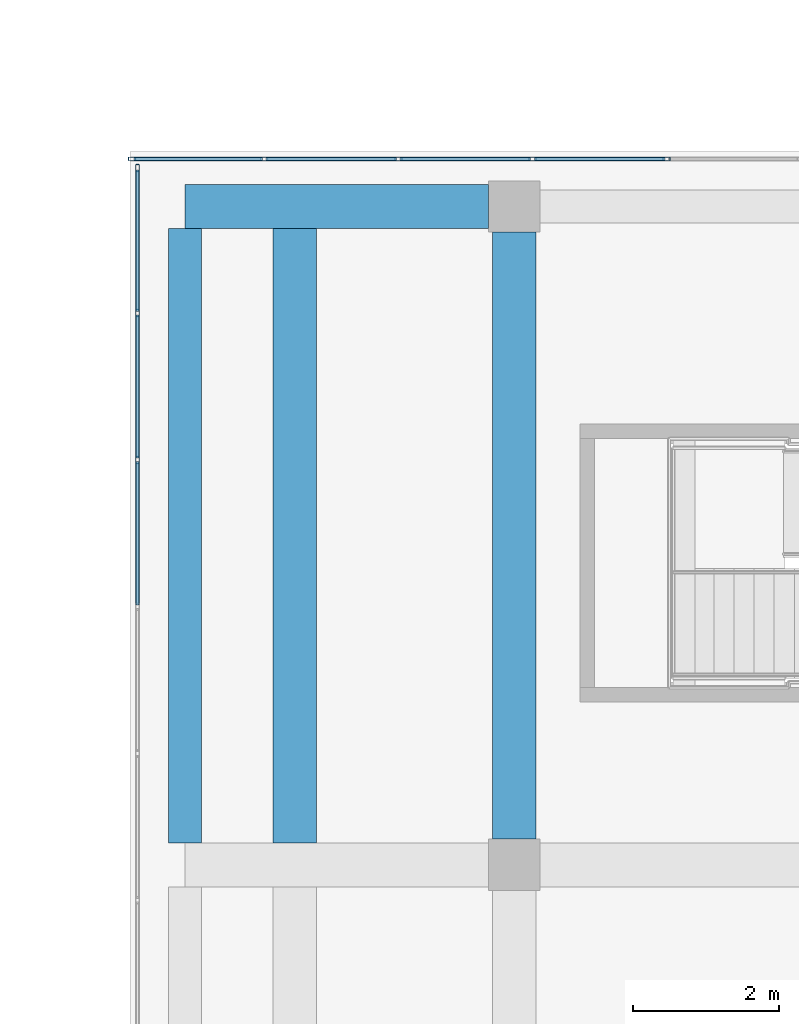
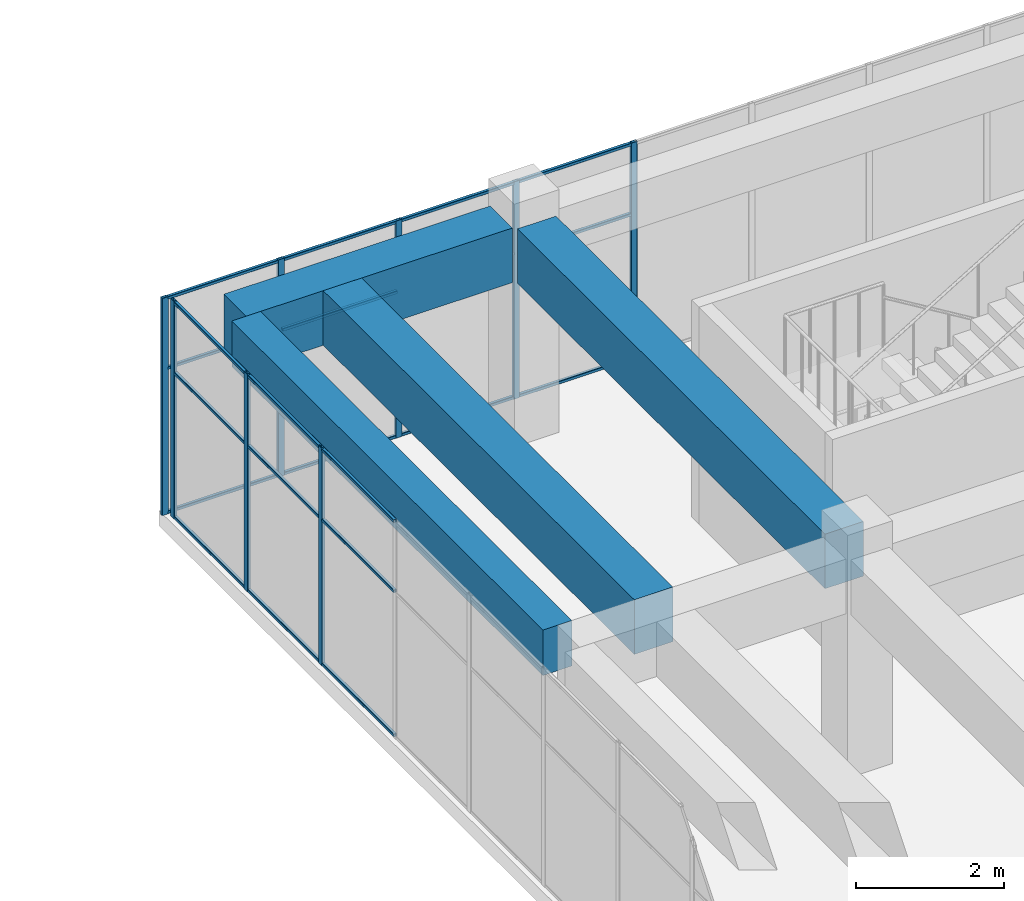
# One storey, part 19 of 32: 29 members, 4 beams, 2 elements without a shape of their own.
"""IFC4 building model written with IfcOpenShell, lengths in metres."""

from ifc_helpers import new_model, si_unit, direction, frame, origin, origin_2d, place, context, subcontext, project, spatial, rectangle, hollow_rectangle, extrude, material, layer, layer_set, material_profile, profile_set, type_object, element, aggregate, save


model = new_model("IFC4")

# Units and contexts
model_context = context("Model", 3, precision=1e-05, world=origin(), true_north=direction((0.0, 1.0)))
body_context = subcontext(model_context, "Body", "Model", "MODEL_VIEW")
ifc_project = project(units=[si_unit("LENGTHUNIT", "METRE"), si_unit("AREAUNIT", "SQUARE_METRE"), si_unit("VOLUMEUNIT", "CUBIC_METRE"), si_unit("PLANEANGLEUNIT", "RADIAN"), si_unit("MASSUNIT", "GRAM", prefix="KILO")], contexts=[model_context])

# Site, building, storey
site_placement = place(None, origin())
site = spatial("IfcSite", under=ifc_project, at=site_placement, CompositionType="ELEMENT")
building_placement = place(site_placement, origin())
building = spatial("IfcBuilding", under=site, at=building_placement, Name="Tuart Plaza Theatre", CompositionType="ELEMENT")
storey_placement = place(building_placement, frame((0.0, 0.0, 37.5)))
storey = spatial("IfcBuildingStorey", under=building, at=storey_placement, Name="L09", CompositionType="ELEMENT", Elevation=37.5)

# Beams
ifc_material_1 = material(Name="Concrete N40 (40 MPa)", Category="concrete")
ifc_material_profile_1 = material_profile(ifc_material_1, rectangle(XDim=0.449951171875, YDim=0.75, at=origin_2d()), Name="BEAM 450x750 Concrete N40 (40 MPa)")
ifc_profile_set_1 = profile_set([ifc_material_profile_1], Name="Concrete N40 (40 MPa)")
beam_type_1 = type_object("IfcBeamType", Name="BEAM 450x750 Concrete N40 (40 MPa)", PredefinedType="BEAM", material=ifc_profile_set_1)
beam_1_placement = place(storey_placement, frame((109.5, 83.300048828125, 3.205078125), z_axis=(0.0, 1.0, 0.0), x_axis=(-1.0, 0.0, 0.0)))
element("IfcBeam", 1, at=beam_1_placement, inside=storey, type_object=beam_type_1, Name="RB252", PredefinedType="BEAM", context=body_context, shape_type="SweptSolid", body=[
    extrude(rectangle(XDim=0.449951171875, YDim=0.75, at=origin_2d()), origin(), (0.0, 0.0, 1.0), 8.39990234375),
])
ifc_material_2 = material(Name="Concrete N40 (40 MPa)", Category="concrete")
ifc_material_profile_2 = material_profile(ifc_material_2, rectangle(XDim=0.60009765625, YDim=0.89990234375, at=origin_2d()), Name="BEAM 600x900 Concrete N40 (40 MPa)")
ifc_profile_set_2 = profile_set([ifc_material_profile_2], Name="Concrete N40 (40 MPa)")
beam_type_2 = type_object("IfcBeamType", Name="BEAM 600x900 Concrete N40 (40 MPa)", PredefinedType="BEAM", material=ifc_profile_set_2)
beam_2_placement = place(storey_placement, frame((109.5, 92.0, 3.1298828125), z_axis=(1.0, 0.0, 0.0), x_axis=(0.0, 1.0, 0.0)))
element("IfcBeam", 2, at=beam_2_placement, inside=storey, type_object=beam_type_2, Name="RB254", PredefinedType="BEAM", context=body_context, shape_type="SweptSolid", body=[
    extrude(rectangle(XDim=0.60009765625, YDim=0.89990234375, at=origin_2d()), origin(), (0.0, 0.0, 1.0), 4.14990234375),
])
beam_3_placement = place(storey_placement, frame((111.0, 83.300048828125, 3.1298828125), z_axis=(0.0, 1.0, 0.0), x_axis=(-1.0, 0.0, 0.0)))
element("IfcBeam", 3, at=beam_3_placement, inside=storey, type_object=beam_type_2, Name="RB281", PredefinedType="BEAM", context=body_context, shape_type="SweptSolid", body=[
    extrude(rectangle(XDim=0.60009765625, YDim=0.89990234375, at=origin_2d()), origin(), (0.0, 0.0, 1.0), 8.39990234375),
])
beam_4_placement = place(storey_placement, frame((114.0, 83.35009765625, 3.1298828125), z_axis=(0.0, 1.0, 0.0), x_axis=(-1.0, 0.0, 0.0)))
element("IfcBeam", 4, at=beam_4_placement, inside=storey, type_object=beam_type_2, Name="RB261", PredefinedType="BEAM", context=body_context, shape_type="SweptSolid", body=[
    extrude(rectangle(XDim=0.60009765625, YDim=0.89990234375, at=origin_2d()), origin(), (0.0, 0.0, 1.0), 8.2998046875),
])

# Curtain wall, members
ifc_material_3 = material(Name="Aluminium and glass", Category="aluminium")
ifc_layer_1 = layer(ifc_material_3, 0.10009765625)
ifc_layer_set_1 = layer_set([ifc_layer_1], Name="CURTAIN WALL 1800 module")
curtain_wall_type_1 = type_object("IfcCurtainWallType", Name="CURTAIN WALL 1800 module", PredefinedType="NOTDEFINED", material=ifc_layer_set_1)
curtain_wall_1_placement = place(storey_placement, origin())
curtain_wall_1 = element("IfcCurtainWall", 5, at=curtain_wall_1_placement, inside=storey, type_object=curtain_wall_type_1, Name="CW95", PredefinedType="NOTDEFINED")
ifc_material_4 = material(Name="Aluminium 6063-T5", Category="aluminium")
ifc_material_profile_3 = material_profile(ifc_material_4, hollow_rectangle(XDim=0.050048828125, YDim=0.10009765625, WallThickness=0.00390625, InnerFilletRadius=0.00390625, OuterFilletRadius=0.008056640625, at=origin_2d()), Name="RHS 100x50x4")
ifc_profile_set_3 = profile_set([ifc_material_profile_3], Name="Aluminium 6063-T5")
member_type_1 = type_object("IfcMemberType", Name="MULLION RHS 100x50x4", PredefinedType="MULLION", material=ifc_profile_set_3)
member_1_placement = place(storey_placement, frame((116.083251953125, 92.64990234375, 0.0), z_axis=(0.0, 0.0, 1.0), x_axis=(0.0, -1.0, 0.0)))
member_1 = element("IfcMember", 6, at=member_1_placement, type_object=member_type_1, Name="CW95 mullion 15", PredefinedType="MULLION", context=body_context, shape_type="SweptSolid", body=[
    extrude(hollow_rectangle(XDim=0.050048828125, YDim=0.10009765625, WallThickness=0.00390625, InnerFilletRadius=0.00390625, OuterFilletRadius=0.008056640625, at=origin_2d()), origin(), (0.0, 0.0, 1.0), 3.580078125),
])
member_2_placement = place(storey_placement, frame((114.25, 92.64990234375, 0.0), z_axis=(0.0, 0.0, 1.0), x_axis=(0.0, -1.0, 0.0)))
member_2 = element("IfcMember", 7, at=member_2_placement, type_object=member_type_1, Name="CW95 mullion 16", PredefinedType="MULLION", context=body_context, shape_type="SweptSolid", body=[
    extrude(hollow_rectangle(XDim=0.050048828125, YDim=0.10009765625, WallThickness=0.00390625, InnerFilletRadius=0.00390625, OuterFilletRadius=0.008056640625, at=origin_2d()), origin(), (0.0, 0.0, 1.0), 3.580078125),
])
member_3_placement = place(storey_placement, frame((112.416748046875, 92.64990234375, 0.0), z_axis=(0.0, 0.0, 1.0), x_axis=(0.0, -1.0, 0.0)))
member_3 = element("IfcMember", 8, at=member_3_placement, type_object=member_type_1, Name="CW95 mullion 17", PredefinedType="MULLION", context=body_context, shape_type="SweptSolid", body=[
    extrude(hollow_rectangle(XDim=0.050048828125, YDim=0.10009765625, WallThickness=0.00390625, InnerFilletRadius=0.00390625, OuterFilletRadius=0.008056640625, at=origin_2d()), origin(), (0.0, 0.0, 1.0), 3.580078125),
])
member_4_placement = place(storey_placement, frame((110.583251953125, 92.64990234375, 0.0), z_axis=(0.0, 0.0, 1.0), x_axis=(0.0, -1.0, 0.0)))
member_4 = element("IfcMember", 9, at=member_4_placement, type_object=member_type_1, Name="CW95 mullion 18", PredefinedType="MULLION", context=body_context, shape_type="SweptSolid", body=[
    extrude(hollow_rectangle(XDim=0.050048828125, YDim=0.10009765625, WallThickness=0.00390625, InnerFilletRadius=0.00390625, OuterFilletRadius=0.008056640625, at=origin_2d()), origin(), (0.0, 0.0, 1.0), 3.580078125),
])
member_5_placement = place(storey_placement, frame((108.77490234375, 92.64990234375, 0.0), z_axis=(0.0, 0.0, 1.0), x_axis=(0.0, -1.0, 0.0)))
member_5 = element("IfcMember", 10, at=member_5_placement, type_object=member_type_1, Name="CW95 mullion 19", PredefinedType="MULLION", context=body_context, shape_type="SweptSolid", body=[
    extrude(hollow_rectangle(XDim=0.050048828125, YDim=0.10009765625, WallThickness=0.00390625, InnerFilletRadius=0.00390625, OuterFilletRadius=0.008056640625, at=origin_2d()), origin(), (0.0, 0.0, 1.0), 3.580078125),
])

ifc_material_5 = material(Name="Aluminium and glass", Category="aluminium")
ifc_layer_2 = layer(ifc_material_5, 0.10009765625)
ifc_layer_set_2 = layer_set([ifc_layer_2], Name="CURTAIN WALL 2000 module")
curtain_wall_type_2 = type_object("IfcCurtainWallType", Name="CURTAIN WALL 2000 module", PredefinedType="NOTDEFINED", material=ifc_layer_set_2)
curtain_wall_2_placement = place(storey_placement, origin())
curtain_wall_2 = element("IfcCurtainWall", 11, at=curtain_wall_2_placement, inside=storey, type_object=curtain_wall_type_2, Name="CW97", PredefinedType="NOTDEFINED")
member_6_placement = place(storey_placement, frame((108.85009765625, 92.52490234375, 0.0), z_axis=(0.0, 0.0, 1.0), x_axis=(1.0, 0.0, 0.0)))
member_6 = element("IfcMember", 12, at=member_6_placement, type_object=member_type_1, Name="CW97 mullion 1", PredefinedType="MULLION", context=body_context, shape_type="SweptSolid", body=[
    extrude(hollow_rectangle(XDim=0.050048828125, YDim=0.10009765625, WallThickness=0.00390625, InnerFilletRadius=0.00390625, OuterFilletRadius=0.008056640625, at=origin_2d()), origin(), (0.0, 0.0, 1.0), 3.580078125),
])
member_7_placement = place(storey_placement, frame((108.85009765625, 90.54296875, 0.0), z_axis=(0.0, 0.0, 1.0), x_axis=(1.0, 0.0, 0.0)))
member_7 = element("IfcMember", 13, at=member_7_placement, type_object=member_type_1, Name="CW97 mullion 2", PredefinedType="MULLION", context=body_context, shape_type="SweptSolid", body=[
    extrude(hollow_rectangle(XDim=0.050048828125, YDim=0.10009765625, WallThickness=0.00390625, InnerFilletRadius=0.00390625, OuterFilletRadius=0.008056640625, at=origin_2d()), origin(), (0.0, 0.0, 1.0), 3.580078125),
])
member_8_placement = place(storey_placement, frame((108.85009765625, 88.53564453125, 0.0), z_axis=(0.0, 0.0, 1.0), x_axis=(1.0, 0.0, 0.0)))
member_8 = element("IfcMember", 14, at=member_8_placement, type_object=member_type_1, Name="CW97 mullion 3", PredefinedType="MULLION", context=body_context, shape_type="SweptSolid", body=[
    extrude(hollow_rectangle(XDim=0.050048828125, YDim=0.10009765625, WallThickness=0.00390625, InnerFilletRadius=0.00390625, OuterFilletRadius=0.008056640625, at=origin_2d()), origin(), (0.0, 0.0, 1.0), 3.580078125),
])

# Member
ifc_material_6 = material(Name="Aluminium 6063-T5", Category="aluminium")
ifc_material_profile_4 = material_profile(ifc_material_6, hollow_rectangle(XDim=0.050048828125, YDim=0.050048828125, WallThickness=0.00390625, InnerFilletRadius=0.00390625, OuterFilletRadius=0.008056640625, at=origin_2d()), Name="RHS 50x50x4")
ifc_profile_set_4 = profile_set([ifc_material_profile_4], Name="Aluminium 6063-T5")
member_type_2 = type_object("IfcMemberType", Name="TRANSOM RHS 50x50x4", PredefinedType="USERDEFINED", material=ifc_profile_set_4)
member_9_placement = place(storey_placement, frame((116.058349609375, 92.64990234375, 0.02490234375), z_axis=(-1.0, 0.0, 0.0), x_axis=(0.0, -1.0, 0.0)))
member_9 = element("IfcMember", 15, at=member_9_placement, type_object=member_type_2, Name="CW95 transom 15.1", ObjectType="TRANSOM", PredefinedType="USERDEFINED", context=body_context, shape_type="SweptSolid", body=[
    extrude(hollow_rectangle(XDim=0.050048828125, YDim=0.050048828125, WallThickness=0.00390625, InnerFilletRadius=0.00390625, OuterFilletRadius=0.008056640625, at=origin_2d()), origin(), (0.0, 0.0, 1.0), 1.783447265625),
])

member_10_placement = place(storey_placement, frame((116.058349609375, 92.64990234375, 2.39990234375), z_axis=(-1.0, 0.0, 0.0), x_axis=(0.0, -1.0, 0.0)))
member_10 = element("IfcMember", 16, at=member_10_placement, type_object=member_type_2, Name="CW95 transom 15.2", ObjectType="TRANSOM", PredefinedType="USERDEFINED", context=body_context, shape_type="SweptSolid", body=[
    extrude(hollow_rectangle(XDim=0.050048828125, YDim=0.050048828125, WallThickness=0.00390625, InnerFilletRadius=0.00390625, OuterFilletRadius=0.008056640625, at=origin_2d()), origin(), (0.0, 0.0, 1.0), 1.783447265625),
])

member_11_placement = place(storey_placement, frame((116.058349609375, 92.64990234375, 3.554931640625), z_axis=(-1.0, 0.0, 0.0), x_axis=(0.0, -1.0, 0.0)))
member_11 = element("IfcMember", 17, at=member_11_placement, type_object=member_type_2, Name="CW95 transom 15.3", ObjectType="TRANSOM", PredefinedType="USERDEFINED", context=body_context, shape_type="SweptSolid", body=[
    extrude(hollow_rectangle(XDim=0.050048828125, YDim=0.050048828125, WallThickness=0.00390625, InnerFilletRadius=0.00390625, OuterFilletRadius=0.008056640625, at=origin_2d()), origin(), (0.0, 0.0, 1.0), 1.783447265625),
])

member_12_placement = place(storey_placement, frame((114.22509765625, 92.64990234375, 0.02490234375), z_axis=(-1.0, 0.0, 0.0), x_axis=(0.0, -1.0, 0.0)))
member_12 = element("IfcMember", 18, at=member_12_placement, type_object=member_type_2, Name="CW95 transom 16.1", ObjectType="TRANSOM", PredefinedType="USERDEFINED", context=body_context, shape_type="SweptSolid", body=[
    extrude(hollow_rectangle(XDim=0.050048828125, YDim=0.050048828125, WallThickness=0.00390625, InnerFilletRadius=0.00390625, OuterFilletRadius=0.008056640625, at=origin_2d()), origin(), (0.0, 0.0, 1.0), 1.783447265625),
])

member_13_placement = place(storey_placement, frame((114.22509765625, 92.64990234375, 2.39990234375), z_axis=(-1.0, 0.0, 0.0), x_axis=(0.0, -1.0, 0.0)))
member_13 = element("IfcMember", 19, at=member_13_placement, type_object=member_type_2, Name="CW95 transom 16.2", ObjectType="TRANSOM", PredefinedType="USERDEFINED", context=body_context, shape_type="SweptSolid", body=[
    extrude(hollow_rectangle(XDim=0.050048828125, YDim=0.050048828125, WallThickness=0.00390625, InnerFilletRadius=0.00390625, OuterFilletRadius=0.008056640625, at=origin_2d()), origin(), (0.0, 0.0, 1.0), 1.783447265625),
])

member_14_placement = place(storey_placement, frame((114.22509765625, 92.64990234375, 3.554931640625), z_axis=(-1.0, 0.0, 0.0), x_axis=(0.0, -1.0, 0.0)))
member_14 = element("IfcMember", 20, at=member_14_placement, type_object=member_type_2, Name="CW95 transom 16.3", ObjectType="TRANSOM", PredefinedType="USERDEFINED", context=body_context, shape_type="SweptSolid", body=[
    extrude(hollow_rectangle(XDim=0.050048828125, YDim=0.050048828125, WallThickness=0.00390625, InnerFilletRadius=0.00390625, OuterFilletRadius=0.008056640625, at=origin_2d()), origin(), (0.0, 0.0, 1.0), 1.783447265625),
])

member_15_placement = place(storey_placement, frame((112.3916015625, 92.64990234375, 0.02490234375), z_axis=(-1.0, 0.0, 0.0), x_axis=(0.0, -1.0, 0.0)))
member_15 = element("IfcMember", 21, at=member_15_placement, type_object=member_type_2, Name="CW95 transom 17.1", ObjectType="TRANSOM", PredefinedType="USERDEFINED", context=body_context, shape_type="SweptSolid", body=[
    extrude(hollow_rectangle(XDim=0.050048828125, YDim=0.050048828125, WallThickness=0.00390625, InnerFilletRadius=0.00390625, OuterFilletRadius=0.008056640625, at=origin_2d()), origin(), (0.0, 0.0, 1.0), 1.783203125),
])

member_16_placement = place(storey_placement, frame((112.3916015625, 92.64990234375, 2.39990234375), z_axis=(-1.0, 0.0, 0.0), x_axis=(0.0, -1.0, 0.0)))
member_16 = element("IfcMember", 22, at=member_16_placement, type_object=member_type_2, Name="CW95 transom 17.2", ObjectType="TRANSOM", PredefinedType="USERDEFINED", context=body_context, shape_type="SweptSolid", body=[
    extrude(hollow_rectangle(XDim=0.050048828125, YDim=0.050048828125, WallThickness=0.00390625, InnerFilletRadius=0.00390625, OuterFilletRadius=0.008056640625, at=origin_2d()), origin(), (0.0, 0.0, 1.0), 1.783203125),
])

member_17_placement = place(storey_placement, frame((112.3916015625, 92.64990234375, 3.554931640625), z_axis=(-1.0, 0.0, 0.0), x_axis=(0.0, -1.0, 0.0)))
member_17 = element("IfcMember", 23, at=member_17_placement, type_object=member_type_2, Name="CW95 transom 17.3", ObjectType="TRANSOM", PredefinedType="USERDEFINED", context=body_context, shape_type="SweptSolid", body=[
    extrude(hollow_rectangle(XDim=0.050048828125, YDim=0.050048828125, WallThickness=0.00390625, InnerFilletRadius=0.00390625, OuterFilletRadius=0.008056640625, at=origin_2d()), origin(), (0.0, 0.0, 1.0), 1.783203125),
])

member_18_placement = place(storey_placement, frame((110.558349609375, 92.64990234375, 0.02490234375), z_axis=(-1.0, 0.0, 0.0), x_axis=(0.0, -1.0, 0.0)))
member_18 = element("IfcMember", 24, at=member_18_placement, type_object=member_type_2, Name="CW95 transom 18.1", ObjectType="TRANSOM", PredefinedType="USERDEFINED", context=body_context, shape_type="SweptSolid", body=[
    extrude(hollow_rectangle(XDim=0.050048828125, YDim=0.050048828125, WallThickness=0.00390625, InnerFilletRadius=0.00390625, OuterFilletRadius=0.008056640625, at=origin_2d()), origin(), (0.0, 0.0, 1.0), 1.75830078125),
])

member_19_placement = place(storey_placement, frame((110.558349609375, 92.64990234375, 2.39990234375), z_axis=(-1.0, 0.0, 0.0), x_axis=(0.0, -1.0, 0.0)))
member_19 = element("IfcMember", 25, at=member_19_placement, type_object=member_type_2, Name="CW95 transom 18.2", ObjectType="TRANSOM", PredefinedType="USERDEFINED", context=body_context, shape_type="SweptSolid", body=[
    extrude(hollow_rectangle(XDim=0.050048828125, YDim=0.050048828125, WallThickness=0.00390625, InnerFilletRadius=0.00390625, OuterFilletRadius=0.008056640625, at=origin_2d()), origin(), (0.0, 0.0, 1.0), 1.75830078125),
])

member_20_placement = place(storey_placement, frame((110.558349609375, 92.64990234375, 3.554931640625), z_axis=(-1.0, 0.0, 0.0), x_axis=(0.0, -1.0, 0.0)))
member_20 = element("IfcMember", 26, at=member_20_placement, type_object=member_type_2, Name="CW95 transom 18.3", ObjectType="TRANSOM", PredefinedType="USERDEFINED", context=body_context, shape_type="SweptSolid", body=[
    extrude(hollow_rectangle(XDim=0.050048828125, YDim=0.050048828125, WallThickness=0.00390625, InnerFilletRadius=0.00390625, OuterFilletRadius=0.008056640625, at=origin_2d()), origin(), (0.0, 0.0, 1.0), 1.75830078125),
])

aggregate(curtain_wall_1, [member_1, member_2, member_3, member_4, member_5, member_9, member_10, member_11, member_12, member_13, member_14, member_15, member_16, member_17, member_18, member_19, member_20])

member_21_placement = place(storey_placement, frame((108.85009765625, 92.5, 0.02490234375), z_axis=(0.0, -1.0, 0.0), x_axis=(1.0, 0.0, 0.0)))
member_21 = element("IfcMember", 27, at=member_21_placement, type_object=member_type_2, Name="CW97 transom 1.1", ObjectType="TRANSOM", PredefinedType="USERDEFINED", context=body_context, shape_type="SweptSolid", body=[
    extrude(hollow_rectangle(XDim=0.050048828125, YDim=0.050048828125, WallThickness=0.00390625, InnerFilletRadius=0.00390625, OuterFilletRadius=0.008056640625, at=origin_2d()), origin(), (0.0, 0.0, 1.0), 1.93212890625),
])

member_22_placement = place(storey_placement, frame((108.85009765625, 92.5, 2.39990234375), z_axis=(0.0, -1.0, 0.0), x_axis=(1.0, 0.0, 0.0)))
member_22 = element("IfcMember", 28, at=member_22_placement, type_object=member_type_2, Name="CW97 transom 1.2", ObjectType="TRANSOM", PredefinedType="USERDEFINED", context=body_context, shape_type="SweptSolid", body=[
    extrude(hollow_rectangle(XDim=0.050048828125, YDim=0.050048828125, WallThickness=0.00390625, InnerFilletRadius=0.00390625, OuterFilletRadius=0.008056640625, at=origin_2d()), origin(), (0.0, 0.0, 1.0), 1.93212890625),
])

member_23_placement = place(storey_placement, frame((108.85009765625, 92.5, 3.554931640625), z_axis=(0.0, -1.0, 0.0), x_axis=(1.0, 0.0, 0.0)))
member_23 = element("IfcMember", 29, at=member_23_placement, type_object=member_type_2, Name="CW97 transom 1.3", ObjectType="TRANSOM", PredefinedType="USERDEFINED", context=body_context, shape_type="SweptSolid", body=[
    extrude(hollow_rectangle(XDim=0.050048828125, YDim=0.050048828125, WallThickness=0.00390625, InnerFilletRadius=0.00390625, OuterFilletRadius=0.008056640625, at=origin_2d()), origin(), (0.0, 0.0, 1.0), 1.93212890625),
])

member_24_placement = place(storey_placement, frame((108.85009765625, 90.517822265625, 0.02490234375), z_axis=(0.0, -1.0, 0.0), x_axis=(1.0, 0.0, 0.0)))
member_24 = element("IfcMember", 30, at=member_24_placement, type_object=member_type_2, Name="CW97 transom 2.1", ObjectType="TRANSOM", PredefinedType="USERDEFINED", context=body_context, shape_type="SweptSolid", body=[
    extrude(hollow_rectangle(XDim=0.050048828125, YDim=0.050048828125, WallThickness=0.00390625, InnerFilletRadius=0.00390625, OuterFilletRadius=0.008056640625, at=origin_2d()), origin(), (0.0, 0.0, 1.0), 1.95703125),
])

member_25_placement = place(storey_placement, frame((108.85009765625, 90.517822265625, 2.39990234375), z_axis=(0.0, -1.0, 0.0), x_axis=(1.0, 0.0, 0.0)))
member_25 = element("IfcMember", 31, at=member_25_placement, type_object=member_type_2, Name="CW97 transom 2.2", ObjectType="TRANSOM", PredefinedType="USERDEFINED", context=body_context, shape_type="SweptSolid", body=[
    extrude(hollow_rectangle(XDim=0.050048828125, YDim=0.050048828125, WallThickness=0.00390625, InnerFilletRadius=0.00390625, OuterFilletRadius=0.008056640625, at=origin_2d()), origin(), (0.0, 0.0, 1.0), 1.95703125),
])

member_26_placement = place(storey_placement, frame((108.85009765625, 90.517822265625, 3.554931640625), z_axis=(0.0, -1.0, 0.0), x_axis=(1.0, 0.0, 0.0)))
member_26 = element("IfcMember", 32, at=member_26_placement, type_object=member_type_2, Name="CW97 transom 2.3", ObjectType="TRANSOM", PredefinedType="USERDEFINED", context=body_context, shape_type="SweptSolid", body=[
    extrude(hollow_rectangle(XDim=0.050048828125, YDim=0.050048828125, WallThickness=0.00390625, InnerFilletRadius=0.00390625, OuterFilletRadius=0.008056640625, at=origin_2d()), origin(), (0.0, 0.0, 1.0), 1.95703125),
])

member_27_placement = place(storey_placement, frame((108.85009765625, 88.5107421875, 0.02490234375), z_axis=(0.0, -1.0, 0.0), x_axis=(1.0, 0.0, 0.0)))
member_27 = element("IfcMember", 33, at=member_27_placement, type_object=member_type_2, Name="CW97 transom 3.1", ObjectType="TRANSOM", PredefinedType="USERDEFINED", context=body_context, shape_type="SweptSolid", body=[
    extrude(hollow_rectangle(XDim=0.050048828125, YDim=0.050048828125, WallThickness=0.00390625, InnerFilletRadius=0.00390625, OuterFilletRadius=0.008056640625, at=origin_2d()), origin(), (0.0, 0.0, 1.0), 1.957275390625),
])

member_28_placement = place(storey_placement, frame((108.85009765625, 88.5107421875, 2.39990234375), z_axis=(0.0, -1.0, 0.0), x_axis=(1.0, 0.0, 0.0)))
member_28 = element("IfcMember", 34, at=member_28_placement, type_object=member_type_2, Name="CW97 transom 3.2", ObjectType="TRANSOM", PredefinedType="USERDEFINED", context=body_context, shape_type="SweptSolid", body=[
    extrude(hollow_rectangle(XDim=0.050048828125, YDim=0.050048828125, WallThickness=0.00390625, InnerFilletRadius=0.00390625, OuterFilletRadius=0.008056640625, at=origin_2d()), origin(), (0.0, 0.0, 1.0), 1.957275390625),
])

member_29_placement = place(storey_placement, frame((108.85009765625, 88.5107421875, 3.554931640625), z_axis=(0.0, -1.0, 0.0), x_axis=(1.0, 0.0, 0.0)))
member_29 = element("IfcMember", 35, at=member_29_placement, type_object=member_type_2, Name="CW97 transom 3.3", ObjectType="TRANSOM", PredefinedType="USERDEFINED", context=body_context, shape_type="SweptSolid", body=[
    extrude(hollow_rectangle(XDim=0.050048828125, YDim=0.050048828125, WallThickness=0.00390625, InnerFilletRadius=0.00390625, OuterFilletRadius=0.008056640625, at=origin_2d()), origin(), (0.0, 0.0, 1.0), 1.957275390625),
])

aggregate(curtain_wall_2, [member_6, member_7, member_8, member_21, member_22, member_23, member_24, member_25, member_26, member_27, member_28, member_29])

save(model, "model.ifc")
